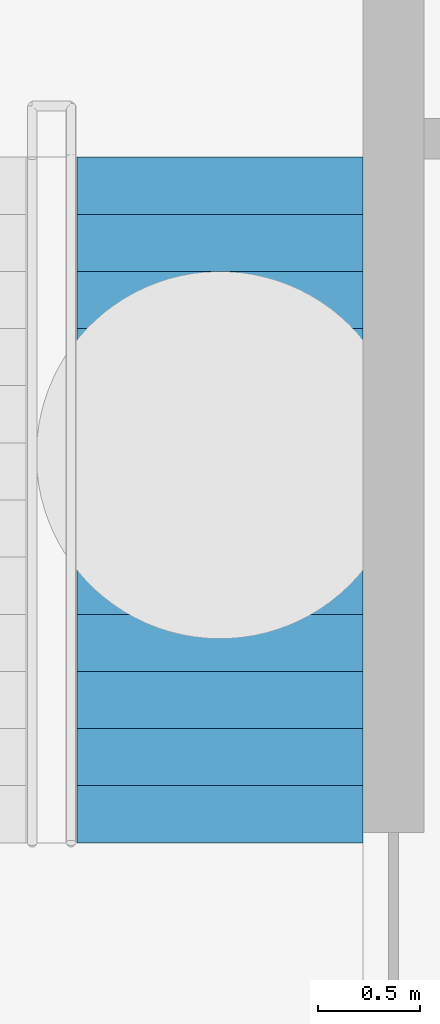
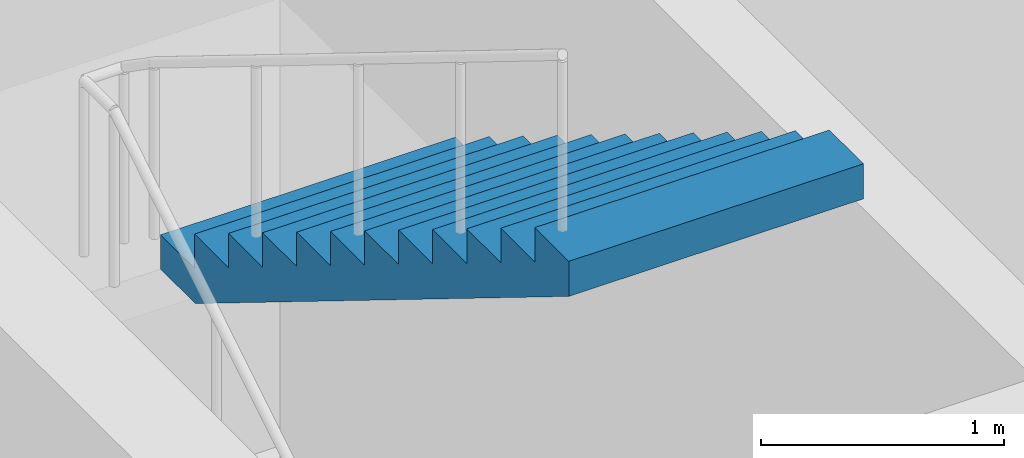
# One storey, part 7 of 9: 1 stair flight, 1 element without a shape of its own.
"""IFC4 building model written with IfcOpenShell, lengths in metres."""

from ifc_helpers import new_model, si_unit, direction, frame, origin, place, context, subcontext, project, spatial, polyline, outline, extrude, material, layer, layer_set, type_object, element, aggregate, save


model = new_model("IFC4")

# Units and contexts
model_context = context("Model", 3, precision=1e-05, world=origin(), true_north=direction((0.0, 1.0)))
body_context = subcontext(model_context, "Body", "Model", "MODEL_VIEW")
ifc_project = project(units=[si_unit("LENGTHUNIT", "METRE"), si_unit("AREAUNIT", "SQUARE_METRE"), si_unit("VOLUMEUNIT", "CUBIC_METRE"), si_unit("PLANEANGLEUNIT", "RADIAN"), si_unit("MASSUNIT", "GRAM", prefix="KILO")], contexts=[model_context])

# Site, building, storey
site_placement = place(None, origin())
site = spatial("IfcSite", under=ifc_project, at=site_placement, CompositionType="ELEMENT")
building_placement = place(site_placement, origin())
building = spatial("IfcBuilding", under=site, at=building_placement, Name="Torre Brocal", CompositionType="ELEMENT")
storey_placement = place(building_placement, frame((0.0, 0.0, -9.0)))
storey = spatial("IfcBuildingStorey", under=building, at=storey_placement, Name="B2", CompositionType="ELEMENT", Elevation=-9.0)

# Stair, stair flight
ifc_material_1 = material(Name="Concrete C50", Category="concrete")
stair_type = type_object("IfcStairType", Name="EXIT STAIR", PredefinedType="HALF_TURN_STAIR", material=ifc_material_1)
stair_placement = place(storey_placement, origin())
stair = element("IfcStair", 1, at=stair_placement, inside=storey, type_object=stair_type, Name="EXIT STAIR ST1", PredefinedType="HALF_TURN_STAIR")
ifc_material_2 = material(Name="Concrete C50", Category="concrete")
ifc_layer = layer(ifc_material_2, 0.14990234375)
ifc_layer_set = layer_set([ifc_layer], Name="Concrete C50")
stair_flight_type = type_object("IfcStairFlightType", Name="STAIR FLIGHT", PredefinedType="STRAIGHT", material=ifc_layer_set)
stair_flight_placement = place(storey_placement, frame((90.699951171875, 81.06005859375, 2.25), z_axis=(0.0, 0.0, 1.0), x_axis=(0.0, -1.0, 0.0)))
stair_flight = element("IfcStairFlight", 2, at=stair_flight_placement, type_object=stair_flight_type, Name="ST1 flight 2", NumberOfRisers=13, NumberOfTreads=12, PredefinedType="STRAIGHT", RiserHeight=0.173076923, TreadLength=0.28, context=body_context, shape_type="SweptSolid", body=[
    extrude(outline(polyline([(0.0, 0.0), (0.0, 0.173095703125), (0.280029296875, 0.173095703125), (0.280029296875, 0.34619140625), (0.56005859375, 0.34619140625), (0.56005859375, 0.519287109375), (0.840087890625, 0.519287109375), (0.840087890625, 0.6923828125), (1.1201171875, 0.6923828125), (1.1201171875, 0.865478515625), (1.39990234375, 0.865478515625), (1.39990234375, 1.03857421875), (1.679931640625, 1.03857421875), (1.679931640625, 1.21142578125), (1.9599609375, 1.21142578125), (1.9599609375, 1.384521484375), (2.239990234375, 1.384521484375), (2.239990234375, 1.5576171875), (2.52001953125, 1.5576171875), (2.52001953125, 1.730712890625), (2.800048828125, 1.730712890625), (2.800048828125, 1.90380859375), (3.080078125, 1.90380859375), (3.080078125, 2.076904296875), (3.360107421875, 2.076904296875), (3.360107421875, 2.25), (3.360107421875, 1.900634765625), (0.28515625, 0.0), (0.0, 0.0)])), frame((0.0, 0.699951171875, 0.0), z_axis=(0.0, -1.0, 0.0), x_axis=(1.0, 0.0, 0.0)), (0.0, 0.0, 1.0), 1.39990234375),
])
aggregate(stair, [stair_flight])

save(model, "model.ifc")
